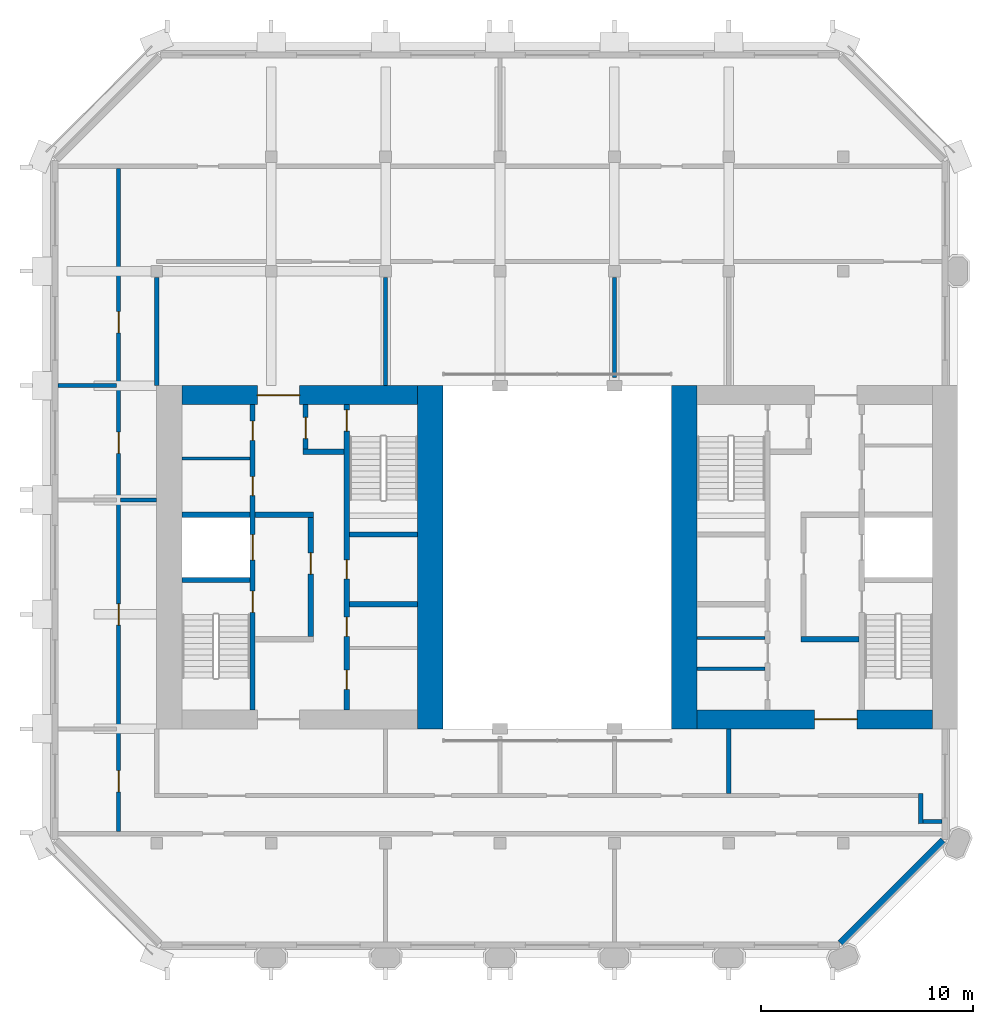
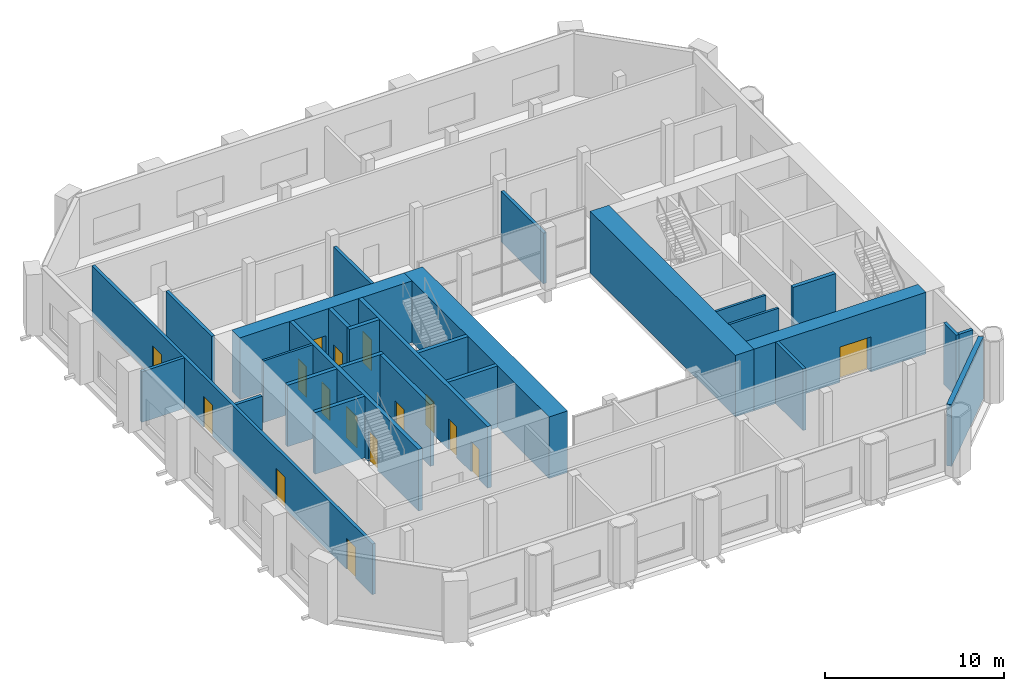
# One storey, part 7 of 11: 28 walls, 16 doors, 16 openings.
"""IFC4 building model written with IfcOpenShell, lengths in metres."""

from ifc_helpers import new_model, si_unit, direction, frame, frame_2d, origin, place, context, subcontext, project, spatial, polyline, rectangle, outline, extrude, material, layer, layer_set, type_object, element, fill, save


model = new_model("IFC4")

# Units and contexts
model_context = context("Model", 3, precision=1e-05, world=origin(), true_north=direction((0.0, 1.0)))
body_context = subcontext(model_context, "Body", "Model", "MODEL_VIEW")
ifc_project = project(units=[si_unit("LENGTHUNIT", "METRE"), si_unit("AREAUNIT", "SQUARE_METRE"), si_unit("VOLUMEUNIT", "CUBIC_METRE"), si_unit("PLANEANGLEUNIT", "RADIAN"), si_unit("MASSUNIT", "GRAM", prefix="KILO")], contexts=[model_context])

# Site, building, storey
site_placement = place(None, origin())
site = spatial("IfcSite", under=ifc_project, at=site_placement, CompositionType="ELEMENT")
building_placement = place(site_placement, origin())
building = spatial("IfcBuilding", under=site, at=building_placement, Name="Tabaq Tower and Sports Hall", CompositionType="ELEMENT")
storey_placement = place(building_placement, frame((0.0, 0.0, 312.699951171875)))
storey = spatial("IfcBuildingStorey", under=building, at=storey_placement, Name="L78", CompositionType="ELEMENT", Elevation=312.699951171875)

# Walls
ifc_material_1 = material(Name="Blockwork", Category="masonry")
ifc_layer_1 = layer(ifc_material_1, 0.14990234375)
ifc_layer_set_1 = layer_set([ifc_layer_1], Name="Core room partition 150 Blockwork")
wall_type_1 = type_object("IfcWallType", Name="Core room partition 150 Blockwork", PredefinedType="PARTITIONING", material=ifc_layer_set_1)
wall_1_placement = place(storey_placement, frame((6.60009765625, 28.962890625, 0.0), z_axis=(0.0, 0.0, 1.0), x_axis=(1.0, 0.0, 0.0)))
element("IfcWall", 1, at=wall_1_placement, inside=storey, type_object=wall_type_1, Name="Core room partition W L78", PredefinedType="PARTITIONING", context=body_context, shape_type="SweptSolid", body=[
    extrude(rectangle(XDim=3.199951171875, YDim=0.14990234375, at=frame_2d((1.60009765625, 0.0))), origin(), (0.0, 0.0, 1.0), 4.199951171875),
])
for number, where, z_axis, x_axis, name in (
    (2, (30.89990234375, 19.0400390625, 0.0), (0.0, 0.0, 1.0), (1.0, 0.0, 0.0), "Core room partition E L78"),
    (3, (30.89990234375, 20.4951171875, 0.0), (0.0, 0.0, 1.0), (1.0, 0.0, 0.0), "Core room partition E L78"),
):
    element("IfcWall", number, at=place(storey_placement, frame(where, z_axis=z_axis, x_axis=x_axis)), inside=storey, type_object=wall_type_1, Name=name, PredefinedType="PARTITIONING", context=body_context, shape_type="SweptSolid", body=[
        extrude(rectangle(XDim=3.2001953125, YDim=0.14990234375, at=frame_2d((1.60009765625, 0.0))), origin(), (0.0, 0.0, 1.0), 4.199951171875),
    ])
ifc_material_2 = material(Name="Concrete C40/50", Category="concrete")
ifc_layer_2 = layer(ifc_material_2, 1.199951171875)
ifc_layer_set_2 = layer_set([ifc_layer_2], Name="Core wall 1200 Concrete C40/50")
wall_type_2 = type_object("IfcWallType", Name="Core wall 1200 Concrete C40/50", PredefinedType="SOLIDWALL", material=ifc_layer_set_2)
for number, where, z_axis, x_axis, name in (
    (4, (18.300048828125, 32.39990234375, 0.0), (0.0, 0.0, 1.0), (0.0, -1.0, 0.0), "Core wall W L78"),
    (5, (30.300048828125, 16.199951171875, 0.0), (0.0, 0.0, 1.0), (0.0, 1.0, 0.0), "Core wall E L78"),
):
    element("IfcWall", number, at=place(storey_placement, frame(where, z_axis=z_axis, x_axis=x_axis)), inside=storey, type_object=wall_type_2, Name=name, PredefinedType="SOLIDWALL", context=body_context, shape_type="SweptSolid", body=[
        extrude(rectangle(XDim=16.199951171875, YDim=1.199951171875, at=frame_2d((8.10009765625, 0.0))), origin(), (0.0, 0.0, 1.0), 4.199951171875),
    ])

# Wall, opening, door
ifc_material_3 = material(Name="Concrete C40/50", Category="concrete")
ifc_layer_3 = layer(ifc_material_3, 0.89990234375)
ifc_layer_set_3 = layer_set([ifc_layer_3], Name="Core wall 900 Concrete C40/50")
wall_type_3 = type_object("IfcWallType", Name="Core wall 900 Concrete C40/50", PredefinedType="SOLIDWALL", material=ifc_layer_set_3)
wall_2_placement = place(storey_placement, frame((6.60009765625, 31.949951171875, 0.0), z_axis=(0.0, 0.0, 1.0), x_axis=(1.0, 0.0, 0.0)))
wall_2 = element("IfcWall", 6, at=wall_2_placement, inside=storey, type_object=wall_type_3, Name="Core wall W L78", PredefinedType="SOLIDWALL", context=body_context, shape_type="SweptSolid", body=[
    extrude(rectangle(XDim=11.099853515625, YDim=0.89990234375, at=frame_2d((5.5498046875, 0.0))), origin(), (0.0, 0.0, 1.0), 4.199951171875),
])
opening_1_placement = place(wall_2_placement, frame((3.550048828125, 0.0, 0.0)))
opening_1 = element("IfcOpeningElement", 7, at=opening_1_placement, cuts=wall_2, Name="Opening PD-WL78-02", PredefinedType="OPENING", context=body_context, shape_type="SweptSolid", body=[
    extrude(rectangle(XDim=2.0, YDim=2.39990234375, at=frame_2d((1.0, 1.199951171875))), frame((0.0, 0.449951171875, 0.0), z_axis=(0.0, -1.0, 0.0), x_axis=(1.0, 0.0, 0.0)), (0.0, 0.0, 1.0), 0.89990234375),
])
ifc_material_4 = material(Name="Steel fire door", Category="steel")
door_type_1 = type_object("IfcDoorType", Name="Core entrance door 2000", OperationType="DOUBLE_DOOR_SINGLE_SWING", PredefinedType="DOOR", material=ifc_material_4)
door_1_placement = place(opening_1_placement, origin())
door_1 = element("IfcDoor", 8, at=door_1_placement, inside=storey, type_object=door_type_1, Name="Core entrance north W L78", OperationType="DOUBLE_DOOR_SINGLE_SWING", OverallHeight=2.39990234375, OverallWidth=2.0, PredefinedType="DOOR", context=body_context, shape_type="SweptSolid", body=[
    extrude(rectangle(XDim=2.0, YDim=2.39990234375, at=frame_2d((1.0, 1.199951171875))), frame((0.0, 0.02490234375, 0.0), z_axis=(0.0, -1.0, 0.0), x_axis=(1.0, 0.0, 0.0)), (0.0, 0.0, 1.0), 0.050048828125),
])
fill(opening_1, door_1)

wall_3_placement = place(storey_placement, frame((42.0, 16.64990234375, 0.0), z_axis=(0.0, 0.0, 1.0), x_axis=(-1.0, 0.0, 0.0)))
wall_3 = element("IfcWall", 9, at=wall_3_placement, inside=storey, type_object=wall_type_3, Name="Core wall E L78", PredefinedType="SOLIDWALL", context=body_context, shape_type="SweptSolid", body=[
    extrude(rectangle(XDim=11.10009765625, YDim=0.89990234375, at=frame_2d((5.550048828125, 0.0))), origin(), (0.0, 0.0, 1.0), 4.199951171875),
])
opening_2_placement = place(wall_3_placement, frame((3.550048828125, 0.0, 0.0)))
opening_2 = element("IfcOpeningElement", 10, at=opening_2_placement, cuts=wall_3, Name="Opening PD-EL78-01", PredefinedType="OPENING", context=body_context, shape_type="SweptSolid", body=[
    extrude(rectangle(XDim=2.0, YDim=2.39990234375, at=frame_2d((1.0, 1.199951171875))), frame((0.0, 0.449951171875, 0.0), z_axis=(0.0, -1.0, 0.0), x_axis=(1.0, 0.0, 0.0)), (0.0, 0.0, 1.0), 0.89990234375),
])
door_2_placement = place(opening_2_placement, origin())
door_2 = element("IfcDoor", 11, at=door_2_placement, inside=storey, type_object=door_type_1, Name="Core entrance south E L78", OperationType="DOUBLE_DOOR_SINGLE_SWING", OverallHeight=2.39990234375, OverallWidth=2.0, PredefinedType="DOOR", context=body_context, shape_type="SweptSolid", body=[
    extrude(rectangle(XDim=2.0, YDim=2.39990234375, at=frame_2d((1.0, 1.199951171875))), frame((0.0, 0.02490234375, 0.0), z_axis=(0.0, -1.0, 0.0), x_axis=(1.0, 0.0, 0.0)), (0.0, 0.0, 1.0), 0.050048828125),
])
fill(opening_2, door_2)

# Walls
ifc_material_5 = material(Name="Blockwork", Category="masonry")
ifc_layer_4 = layer(ifc_material_5, 0.199951171875)
ifc_layer_set_4 = layer_set([ifc_layer_4], Name="Fire compartment wall 200 Blockwork")
wall_type_4 = type_object("IfcWallType", Name="Fire compartment wall 200 Blockwork", PredefinedType="PARTITIONING", material=ifc_layer_set_4)
wall_4_placement = place(storey_placement, frame((0.7509765625, 32.39990234375, 0.0), z_axis=(0.0, 0.0, 1.0), x_axis=(1.0, 0.0, 0.0)))
element("IfcWall", 12, at=wall_4_placement, inside=storey, type_object=wall_type_4, Name="Compartment wall L78", PredefinedType="PARTITIONING", context=body_context, shape_type="SweptSolid", body=[
    extrude(rectangle(XDim=2.7490234375, YDim=0.199951171875, at=frame_2d((1.37451171875, 0.0))), origin(), (0.0, 0.0, 1.0), 3.449951171875),
])
wall_5_placement = place(storey_placement, frame((27.0, 37.5048828125, 0.0), z_axis=(0.0, 0.0, 1.0), x_axis=(0.0, -1.0, 0.0)))
element("IfcWall", 13, at=wall_5_placement, inside=storey, type_object=wall_type_4, Name="Compartment wall L78", PredefinedType="PARTITIONING", context=body_context, shape_type="SweptSolid", body=[
    extrude(rectangle(XDim=4.73486328125, YDim=0.199951171875, at=frame_2d((2.367431640625, 0.0))), origin(), (0.0, 0.0, 1.0), 3.449951171875),
])
wall_6_placement = place(storey_placement, frame((16.199951171875, 37.5048828125, 0.0), z_axis=(0.0, 0.0, 1.0), x_axis=(0.0, -1.0, 0.0)))
element("IfcWall", 14, at=wall_6_placement, inside=storey, type_object=wall_type_4, Name="Compartment wall L78", PredefinedType="PARTITIONING", context=body_context, shape_type="SweptSolid", body=[
    extrude(rectangle(XDim=5.10498046875, YDim=0.199951171875, at=frame_2d((2.552490234375, 0.0))), origin(), (0.0, 0.0, 1.0), 3.449951171875),
])
wall_7_placement = place(storey_placement, frame((5.39990234375, 37.5048828125, 0.0), z_axis=(0.0, 0.0, 1.0), x_axis=(0.0, -1.0, 0.0)))
element("IfcWall", 15, at=wall_7_placement, inside=storey, type_object=wall_type_4, Name="Compartment wall L78", PredefinedType="PARTITIONING", context=body_context, shape_type="SweptSolid", body=[
    extrude(rectangle(XDim=5.10498046875, YDim=0.199951171875, at=frame_2d((2.552490234375, 0.0))), origin(), (0.0, 0.0, 1.0), 4.199951171875),
])
wall_8_placement = place(storey_placement, frame((3.699951171875, 27.0, 0.0), z_axis=(0.0, 0.0, 1.0), x_axis=(1.0, 0.0, 0.0)))
element("IfcWall", 16, at=wall_8_placement, inside=storey, type_object=wall_type_4, Name="Compartment wall L78", PredefinedType="PARTITIONING", context=body_context, shape_type="SweptSolid", body=[
    extrude(rectangle(XDim=1.699951171875, YDim=0.199951171875, at=frame_2d((0.85009765625, 0.0))), origin(), (0.0, 0.0, 1.0), 3.449951171875),
])
wall_9_placement = place(storey_placement, frame((32.39990234375, 13.14990234375, 0.0), z_axis=(0.0, 0.0, 1.0), x_axis=(0.0, 1.0, 0.0)))
element("IfcWall", 17, at=wall_9_placement, inside=storey, type_object=wall_type_4, Name="Compartment wall L78", PredefinedType="PARTITIONING", context=body_context, shape_type="SweptSolid", body=[
    extrude(rectangle(XDim=3.050048828125, YDim=0.199951171875, at=frame_2d((1.52490234375, 0.0))), origin(), (0.0, 0.0, 1.0), 4.199951171875),
])

# Wall, openings, doors
wall_10_placement = place(storey_placement, frame((3.60009765625, 11.35009765625, 0.0), z_axis=(0.0, 0.0, 1.0), x_axis=(0.0, 1.0, 0.0)))
wall_10 = element("IfcWall", 18, at=wall_10_placement, inside=storey, type_object=wall_type_4, Name="Compartment wall L78", PredefinedType="PARTITIONING", context=body_context, shape_type="SweptSolid", body=[
    extrude(rectangle(XDim=31.2998046875, YDim=0.199951171875, at=frame_2d((15.64990234375, 0.0))), origin(), (0.0, 0.0, 1.0), 3.449951171875),
])
opening_3_placement = place(wall_10_placement, frame((23.537109375, 0.0, 0.0)))
opening_3 = element("IfcOpeningElement", 19, at=opening_3_placement, cuts=wall_10, Name="Opening L78-001", PredefinedType="OPENING", context=body_context, shape_type="SweptSolid", body=[
    extrude(rectangle(XDim=1.0, YDim=2.10009765625, at=frame_2d((0.5, 1.050048828125))), frame((0.0, 0.10009765625, 0.0), z_axis=(0.0, -1.0, 0.0), x_axis=(1.0, 0.0, 0.0)), (0.0, 0.0, 1.0), 0.199951171875),
])
opening_4_placement = place(wall_10_placement, frame((17.85009765625, 0.0, 0.0)))
opening_4 = element("IfcOpeningElement", 20, at=opening_4_placement, cuts=wall_10, Name="Opening L78-006", PredefinedType="OPENING", context=body_context, shape_type="SweptSolid", body=[
    extrude(rectangle(XDim=1.0, YDim=2.10009765625, at=frame_2d((0.5, 1.050048828125))), frame((0.0, 0.10009765625, 0.0), z_axis=(0.0, -1.0, 0.0), x_axis=(1.0, 0.0, 0.0)), (0.0, 0.0, 1.0), 0.199951171875),
])
opening_5_placement = place(wall_10_placement, frame((1.875, 0.0, 0.0)))
opening_5 = element("IfcOpeningElement", 21, at=opening_5_placement, cuts=wall_10, Name="Opening L78-007", PredefinedType="OPENING", context=body_context, shape_type="SweptSolid", body=[
    extrude(rectangle(XDim=1.0, YDim=2.10009765625, at=frame_2d((0.5, 1.050048828125))), frame((0.0, 0.10009765625, 0.0), z_axis=(0.0, -1.0, 0.0), x_axis=(1.0, 0.0, 0.0)), (0.0, 0.0, 1.0), 0.199951171875),
])
opening_6_placement = place(wall_10_placement, frame((9.75, 0.0, 0.0)))
opening_6 = element("IfcOpeningElement", 22, at=opening_6_placement, cuts=wall_10, Name="Opening L78-014", PredefinedType="OPENING", context=body_context, shape_type="SweptSolid", body=[
    extrude(rectangle(XDim=1.0, YDim=2.10009765625, at=frame_2d((0.5, 1.050048828125))), frame((0.0, 0.10009765625, 0.0), z_axis=(0.0, -1.0, 0.0), x_axis=(1.0, 0.0, 0.0)), (0.0, 0.0, 1.0), 0.199951171875),
])
ifc_material_6 = material(Name="Steel fire door", Category="steel")
door_type_2 = type_object("IfcDoorType", Name="Plant room door 1000 left hand", OperationType="SINGLE_SWING_LEFT", PredefinedType="DOOR", material=ifc_material_6)
door_3_placement = place(opening_3_placement, origin())
door_3 = element("IfcDoor", 23, at=door_3_placement, inside=storey, type_object=door_type_2, Name="Plant room door L78-001", OperationType="SINGLE_SWING_LEFT", OverallHeight=2.10009765625, OverallWidth=1.0, PredefinedType="DOOR", context=body_context, shape_type="SweptSolid", body=[
    extrude(rectangle(XDim=1.0, YDim=2.10009765625, at=frame_2d((0.5, 1.050048828125))), frame((0.0, 0.02490234375, 0.0), z_axis=(0.0, -1.0, 0.0), x_axis=(1.0, 0.0, 0.0)), (0.0, 0.0, 1.0), 0.050048828125),
])
fill(opening_3, door_3)
door_4_placement = place(opening_5_placement, origin())
door_4 = element("IfcDoor", 24, at=door_4_placement, inside=storey, type_object=door_type_2, Name="Plant room door L78-007", OperationType="SINGLE_SWING_LEFT", OverallHeight=2.10009765625, OverallWidth=1.0, PredefinedType="DOOR", context=body_context, shape_type="SweptSolid", body=[
    extrude(rectangle(XDim=1.0, YDim=2.10009765625, at=frame_2d((0.5, 1.050048828125))), frame((0.0, 0.02490234375, 0.0), z_axis=(0.0, -1.0, 0.0), x_axis=(1.0, 0.0, 0.0)), (0.0, 0.0, 1.0), 0.050048828125),
])
fill(opening_5, door_4)
ifc_material_7 = material(Name="Steel fire door", Category="steel")
door_type_3 = type_object("IfcDoorType", Name="Plant room door 1000 right hand", OperationType="SINGLE_SWING_RIGHT", PredefinedType="DOOR", material=ifc_material_7)
door_5_placement = place(opening_4_placement, origin())
door_5 = element("IfcDoor", 25, at=door_5_placement, inside=storey, type_object=door_type_3, Name="Plant room door L78-006", OperationType="SINGLE_SWING_RIGHT", OverallHeight=2.10009765625, OverallWidth=1.0, PredefinedType="DOOR", context=body_context, shape_type="SweptSolid", body=[
    extrude(rectangle(XDim=1.0, YDim=2.10009765625, at=frame_2d((0.5, 1.050048828125))), frame((0.0, 0.02490234375, 0.0), z_axis=(0.0, -1.0, 0.0), x_axis=(1.0, 0.0, 0.0)), (0.0, 0.0, 1.0), 0.050048828125),
])
fill(opening_4, door_5)
door_6_placement = place(opening_6_placement, origin())
door_6 = element("IfcDoor", 26, at=door_6_placement, inside=storey, type_object=door_type_3, Name="Plant room door L78-014", OperationType="SINGLE_SWING_RIGHT", OverallHeight=2.10009765625, OverallWidth=1.0, PredefinedType="DOOR", context=body_context, shape_type="SweptSolid", body=[
    extrude(rectangle(XDim=1.0, YDim=2.10009765625, at=frame_2d((0.5, 1.050048828125))), frame((0.0, 0.02490234375, 0.0), z_axis=(0.0, -1.0, 0.0), x_axis=(1.0, 0.0, 0.0)), (0.0, 0.0, 1.0), 0.050048828125),
])
fill(opening_6, door_6)

# Walls
wall_11_placement = place(storey_placement, frame((41.448974609375, 13.14990234375, 0.0), z_axis=(0.0, 0.0, 1.0), x_axis=(0.00085543168, -0.999999634118, 0.0)))
element("IfcWall", 27, at=wall_11_placement, inside=storey, type_object=wall_type_4, Name="Compartment wall L78", PredefinedType="PARTITIONING", context=body_context, shape_type="SweptSolid", body=[
    extrude(rectangle(XDim=1.427001953125, YDim=0.199951171875, at=frame_2d((0.71337890625, 0.0))), origin(), (0.0, 0.0, 1.0), 4.199951171875),
])
wall_12_placement = place(storey_placement, frame((41.550048828125, 11.822998046875, 0.0), z_axis=(0.0, 0.0, 1.0), x_axis=(1.0, 0.0, 0.0)))
element("IfcWall", 28, at=wall_12_placement, inside=storey, type_object=wall_type_4, Name="Compartment wall L78", PredefinedType="PARTITIONING", context=body_context, shape_type="SweptSolid", body=[
    extrude(rectangle(XDim=0.89990234375, YDim=0.199951171875, at=frame_2d((0.449951171875, 0.0))), origin(), (0.0, 0.0, 1.0), 4.199951171875),
])

# Wall, openings, doors
ifc_material_8 = material(Name="Concrete C40/50", Category="concrete")
ifc_layer_5 = layer(ifc_material_8, 0.25)
ifc_layer_set_5 = layer_set([ifc_layer_5], Name="Shaft and stair wall 250 Concrete C40/50")
wall_type_5 = type_object("IfcWallType", Name="Shaft and stair wall 250 Concrete C40/50", PredefinedType="SOLIDWALL", material=ifc_layer_set_5)
wall_13_placement = place(storey_placement, frame((9.925048828125, 17.10009765625, 0.0), z_axis=(0.0, 0.0, 1.0), x_axis=(0.0, 1.0, 0.0)))
wall_13 = element("IfcWall", 29, at=wall_13_placement, inside=storey, type_object=wall_type_5, Name="Shaft wall W L78", PredefinedType="SOLIDWALL", context=body_context, shape_type="SweptSolid", body=[
    extrude(rectangle(XDim=14.39990234375, YDim=0.25, at=frame_2d((7.199951171875, 0.0))), origin(), (0.0, 0.0, 1.0), 4.199951171875),
])
opening_7_placement = place(wall_13_placement, frame((4.60009765625, 0.0, 0.0)))
opening_7 = element("IfcOpeningElement", 30, at=opening_7_placement, cuts=wall_13, Name="Opening SD-WL78-03", PredefinedType="OPENING", context=body_context, shape_type="SweptSolid", body=[
    extrude(rectangle(XDim=1.0, YDim=2.10009765625, at=frame_2d((0.5, 1.050048828125))), frame((0.0, 0.125, 0.0), z_axis=(0.0, -1.0, 0.0), x_axis=(1.0, 0.0, 0.0)), (0.0, 0.0, 1.0), 0.25),
])
opening_8_placement = place(wall_13_placement, frame((7.0625, 0.0, 0.0)))
opening_8 = element("IfcOpeningElement", 31, at=opening_8_placement, cuts=wall_13, Name="Opening LD-FF1-L78", PredefinedType="OPENING", context=body_context, shape_type="SweptSolid", body=[
    extrude(rectangle(XDim=1.199951171875, YDim=2.10009765625, at=frame_2d((0.60009765625, 1.050048828125))), frame((0.0, 0.125, 0.0), z_axis=(0.0, -1.0, 0.0), x_axis=(1.0, 0.0, 0.0)), (0.0, 0.0, 1.0), 0.25),
])
opening_9_placement = place(wall_13_placement, frame((10.1064453125, 0.0, 0.0)))
opening_9 = element("IfcOpeningElement", 32, at=opening_9_placement, cuts=wall_13, Name="Opening RD-WL78-08", PredefinedType="OPENING", context=body_context, shape_type="SweptSolid", body=[
    extrude(rectangle(XDim=0.89990234375, YDim=2.10009765625, at=frame_2d((0.449951171875, 1.050048828125))), frame((0.0, 0.125, 0.0), z_axis=(0.0, -1.0, 0.0), x_axis=(1.0, 0.0, 0.0)), (0.0, 0.0, 1.0), 0.25),
])
opening_10_placement = place(wall_13_placement, frame((12.718994140625, 0.0, 0.0)))
opening_10 = element("IfcOpeningElement", 33, at=opening_10_placement, cuts=wall_13, Name="Opening RD-WL78-09", PredefinedType="OPENING", context=body_context, shape_type="SweptSolid", body=[
    extrude(rectangle(XDim=0.89990234375, YDim=2.10009765625, at=frame_2d((0.449951171875, 1.050048828125))), frame((0.0, 0.125, 0.0), z_axis=(0.0, -1.0, 0.0), x_axis=(1.0, 0.0, 0.0)), (0.0, 0.0, 1.0), 0.25),
])
ifc_material_9 = material(Name="Steel fire door", Category="steel")
door_type_4 = type_object("IfcDoorType", Name="Core room door 900", OperationType="SINGLE_SWING_LEFT", PredefinedType="DOOR", material=ifc_material_9)
door_7_placement = place(opening_9_placement, origin())
door_7 = element("IfcDoor", 34, at=door_7_placement, inside=storey, type_object=door_type_4, Name="Door Store Room W L78", OperationType="SINGLE_SWING_LEFT", OverallHeight=2.10009765625, OverallWidth=0.89990234375, PredefinedType="DOOR", context=body_context, shape_type="SweptSolid", body=[
    extrude(rectangle(XDim=0.89990234375, YDim=2.10009765625, at=frame_2d((0.449951171875, 1.050048828125))), frame((0.0, 0.02490234375, 0.0), z_axis=(0.0, -1.0, 0.0), x_axis=(1.0, 0.0, 0.0)), (0.0, 0.0, 1.0), 0.050048828125),
])
fill(opening_9, door_7)
door_8_placement = place(opening_10_placement, origin())
door_8 = element("IfcDoor", 35, at=door_8_placement, inside=storey, type_object=door_type_4, Name="Door Riser Room W L78", OperationType="SINGLE_SWING_LEFT", OverallHeight=2.10009765625, OverallWidth=0.89990234375, PredefinedType="DOOR", context=body_context, shape_type="SweptSolid", body=[
    extrude(rectangle(XDim=0.89990234375, YDim=2.10009765625, at=frame_2d((0.449951171875, 1.050048828125))), frame((0.0, 0.02490234375, 0.0), z_axis=(0.0, -1.0, 0.0), x_axis=(1.0, 0.0, 0.0)), (0.0, 0.0, 1.0), 0.050048828125),
])
fill(opening_10, door_8)
ifc_material_10 = material(Name="Stainless steel", Category="steel")
door_type_5 = type_object("IfcDoorType", Name="Lift landing door 1200", OperationType="DOUBLE_DOOR_SLIDING", PredefinedType="DOOR", material=ifc_material_10)
door_9_placement = place(opening_8_placement, origin())
door_9 = element("IfcDoor", 36, at=door_9_placement, inside=storey, type_object=door_type_5, Name="Lift landing door FF1 W L78", OperationType="DOUBLE_DOOR_SLIDING", OverallHeight=2.10009765625, OverallWidth=1.199951171875, PredefinedType="DOOR", context=body_context, shape_type="SweptSolid", body=[
    extrude(rectangle(XDim=1.199951171875, YDim=2.10009765625, at=frame_2d((0.60009765625, 1.050048828125))), frame((0.0, 0.02490234375, 0.0), z_axis=(0.0, -1.0, 0.0), x_axis=(1.0, 0.0, 0.0)), (0.0, 0.0, 1.0), 0.050048828125),
])
fill(opening_8, door_9)
ifc_material_11 = material(Name="Steel fire door", Category="steel")
door_type_6 = type_object("IfcDoorType", Name="Stair door 1000", OperationType="SINGLE_SWING_LEFT", PredefinedType="DOOR", material=ifc_material_11)
door_10_placement = place(opening_7_placement, origin())
door_10 = element("IfcDoor", 37, at=door_10_placement, inside=storey, type_object=door_type_6, Name="Stair door ST1 W L78", OperationType="SINGLE_SWING_LEFT", OverallHeight=2.10009765625, OverallWidth=1.0, PredefinedType="DOOR", context=body_context, shape_type="SweptSolid", body=[
    extrude(rectangle(XDim=1.0, YDim=2.10009765625, at=frame_2d((0.5, 1.050048828125))), frame((0.0, 0.02490234375, 0.0), z_axis=(0.0, -1.0, 0.0), x_axis=(1.0, 0.0, 0.0)), (0.0, 0.0, 1.0), 0.050048828125),
])
fill(opening_7, door_10)

wall_14_placement = place(storey_placement, frame((14.375, 17.10009765625, 0.0), z_axis=(0.0, 0.0, 1.0), x_axis=(0.0, 1.0, 0.0)))
wall_14 = element("IfcWall", 38, at=wall_14_placement, inside=storey, type_object=wall_type_5, Name="Shaft wall W L78", PredefinedType="SOLIDWALL", context=body_context, shape_type="SweptSolid", body=[
    extrude(rectangle(XDim=14.39990234375, YDim=0.25, at=frame_2d((7.199951171875, 0.0))), origin(), (0.0, 0.0, 1.0), 4.199951171875),
])
opening_11_placement = place(wall_14_placement, frame((13.14990234375, 0.0, 0.0)))
opening_11 = element("IfcOpeningElement", 39, at=opening_11_placement, cuts=wall_14, Name="Opening SD-WL78-05", PredefinedType="OPENING", context=body_context, shape_type="SweptSolid", body=[
    extrude(rectangle(XDim=1.0, YDim=2.10009765625, at=frame_2d((0.5, 1.050048828125))), frame((0.0, 0.125, 0.0), z_axis=(0.0, -1.0, 0.0), x_axis=(1.0, 0.0, 0.0)), (0.0, 0.0, 1.0), 0.25),
])
opening_12_placement = place(wall_14_placement, frame((0.967529296875, 0.0, 0.0)))
opening_12 = element("IfcOpeningElement", 40, at=opening_12_placement, cuts=wall_14, Name="Opening RD-WL78-10", PredefinedType="OPENING", context=body_context, shape_type="SweptSolid", body=[
    extrude(rectangle(XDim=0.89990234375, YDim=2.10009765625, at=frame_2d((0.449951171875, 1.050048828125))), frame((0.0, 0.125, 0.0), z_axis=(0.0, -1.0, 0.0), x_axis=(1.0, 0.0, 0.0)), (0.0, 0.0, 1.0), 0.25),
])
opening_13_placement = place(wall_14_placement, frame((3.467529296875, 0.0, 0.0)))
opening_13 = element("IfcOpeningElement", 41, at=opening_13_placement, cuts=wall_14, Name="Opening RD-WL78-11", PredefinedType="OPENING", context=body_context, shape_type="SweptSolid", body=[
    extrude(rectangle(XDim=0.89990234375, YDim=2.10009765625, at=frame_2d((0.449951171875, 1.050048828125))), frame((0.0, 0.125, 0.0), z_axis=(0.0, -1.0, 0.0), x_axis=(1.0, 0.0, 0.0)), (0.0, 0.0, 1.0), 0.25),
])
opening_14_placement = place(wall_14_placement, frame((6.175048828125, 0.0, 0.0)))
opening_14 = element("IfcOpeningElement", 42, at=opening_14_placement, cuts=wall_14, Name="Opening RD-WL78-12", PredefinedType="OPENING", context=body_context, shape_type="SweptSolid", body=[
    extrude(rectangle(XDim=0.89990234375, YDim=2.10009765625, at=frame_2d((0.449951171875, 1.050048828125))), frame((0.0, 0.125, 0.0), z_axis=(0.0, -1.0, 0.0), x_axis=(1.0, 0.0, 0.0)), (0.0, 0.0, 1.0), 0.25),
])
door_11_placement = place(opening_12_placement, origin())
door_11 = element("IfcDoor", 43, at=door_11_placement, inside=storey, type_object=door_type_4, Name="Door Plant Room W L78", OperationType="SINGLE_SWING_LEFT", OverallHeight=2.10009765625, OverallWidth=0.89990234375, PredefinedType="DOOR", context=body_context, shape_type="SweptSolid", body=[
    extrude(rectangle(XDim=0.89990234375, YDim=2.10009765625, at=frame_2d((0.449951171875, 1.050048828125))), frame((0.0, 0.02490234375, 0.0), z_axis=(0.0, -1.0, 0.0), x_axis=(1.0, 0.0, 0.0)), (0.0, 0.0, 1.0), 0.050048828125),
])
fill(opening_12, door_11)
door_12_placement = place(opening_13_placement, origin())
door_12 = element("IfcDoor", 44, at=door_12_placement, inside=storey, type_object=door_type_4, Name="Door Plant Control Room W L78", OperationType="SINGLE_SWING_LEFT", OverallHeight=2.10009765625, OverallWidth=0.89990234375, PredefinedType="DOOR", context=body_context, shape_type="SweptSolid", body=[
    extrude(rectangle(XDim=0.89990234375, YDim=2.10009765625, at=frame_2d((0.449951171875, 1.050048828125))), frame((0.0, 0.02490234375, 0.0), z_axis=(0.0, -1.0, 0.0), x_axis=(1.0, 0.0, 0.0)), (0.0, 0.0, 1.0), 0.050048828125),
])
fill(opening_13, door_12)
door_13_placement = place(opening_14_placement, origin())
door_13 = element("IfcDoor", 45, at=door_13_placement, inside=storey, type_object=door_type_4, Name="Door Riser Room W L78", OperationType="SINGLE_SWING_LEFT", OverallHeight=2.10009765625, OverallWidth=0.89990234375, PredefinedType="DOOR", context=body_context, shape_type="SweptSolid", body=[
    extrude(rectangle(XDim=0.89990234375, YDim=2.10009765625, at=frame_2d((0.449951171875, 1.050048828125))), frame((0.0, 0.02490234375, 0.0), z_axis=(0.0, -1.0, 0.0), x_axis=(1.0, 0.0, 0.0)), (0.0, 0.0, 1.0), 0.050048828125),
])
fill(opening_14, door_13)
door_14_placement = place(opening_11_placement, origin())
door_14 = element("IfcDoor", 46, at=door_14_placement, inside=storey, type_object=door_type_6, Name="Stair door ST2 W L78", OperationType="SINGLE_SWING_LEFT", OverallHeight=2.10009765625, OverallWidth=1.0, PredefinedType="DOOR", context=body_context, shape_type="SweptSolid", body=[
    extrude(rectangle(XDim=1.0, YDim=2.10009765625, at=frame_2d((0.5, 1.050048828125))), frame((0.0, 0.02490234375, 0.0), z_axis=(0.0, -1.0, 0.0), x_axis=(1.0, 0.0, 0.0)), (0.0, 0.0, 1.0), 0.050048828125),
])
fill(opening_11, door_14)

# Walls
for number, where, z_axis, x_axis, name in (
    (47, (6.60009765625, 23.22509765625, 0.0), (0.0, 0.0, 1.0), (1.0, 0.0, 0.0), "Stair enclosure wall W L78"),
    (48, (14.5, 25.375, 0.0), (0.0, 0.0, 1.0), (1.0, 0.0, 0.0), "Stair enclosure wall W L78"),
    (49, (14.5, 22.074951171875, 0.0), (0.0, 0.0, 1.0), (1.0, 0.0, 0.0), "Shaft wall W L78"),
    (50, (6.60009765625, 26.300048828125, 0.0), (0.0, 0.0, 1.0), (1.0, 0.0, 0.0), "Shaft wall W L78"),
):
    element("IfcWall", number, at=place(storey_placement, frame(where, z_axis=z_axis, x_axis=x_axis)), inside=storey, type_object=wall_type_5, Name=name, PredefinedType="SOLIDWALL", context=body_context, shape_type="SweptSolid", body=[
        extrude(rectangle(XDim=3.199951171875, YDim=0.25, at=frame_2d((1.60009765625, 0.0))), origin(), (0.0, 0.0, 1.0), 4.199951171875),
    ])
wall_15_placement = place(storey_placement, frame((10.050048828125, 26.300048828125, 0.0), z_axis=(0.0, 0.0, 1.0), x_axis=(1.0, 0.0, 0.0)))
element("IfcWall", 51, at=wall_15_placement, inside=storey, type_object=wall_type_5, Name="Fire-fighting lobby wall W L78", PredefinedType="SOLIDWALL", context=body_context, shape_type="SweptSolid", body=[
    extrude(rectangle(XDim=2.75, YDim=0.25, at=frame_2d((1.375, 0.0))), origin(), (0.0, 0.0, 1.0), 4.199951171875),
])

# Wall, opening, door
wall_16_placement = place(storey_placement, frame((12.425048828125, 29.39990234375, 0.0), z_axis=(0.0, 0.0, 1.0), x_axis=(0.0, 1.0, 0.0)))
wall_16 = element("IfcWall", 52, at=wall_16_placement, inside=storey, type_object=wall_type_5, Name="Fire-fighting lobby wall W L78", PredefinedType="SOLIDWALL", context=body_context, shape_type="SweptSolid", body=[
    extrude(rectangle(XDim=2.10009765625, YDim=0.25, at=frame_2d((1.050048828125, 0.0))), origin(), (0.0, 0.0, 1.0), 4.199951171875),
])
opening_15_placement = place(wall_16_placement, frame((0.5, 0.0, 0.0)))
opening_15 = element("IfcOpeningElement", 53, at=opening_15_placement, cuts=wall_16, Name="Opening FD-WL78-06", PredefinedType="OPENING", context=body_context, shape_type="SweptSolid", body=[
    extrude(rectangle(XDim=1.0, YDim=2.10009765625, at=frame_2d((0.5, 1.050048828125))), frame((0.0, 0.125, 0.0), z_axis=(0.0, -1.0, 0.0), x_axis=(1.0, 0.0, 0.0)), (0.0, 0.0, 1.0), 0.25),
])
ifc_material_12 = material(Name="Steel fire door", Category="steel")
door_type_7 = type_object("IfcDoorType", Name="Fire-fighting lobby door 1000", OperationType="SINGLE_SWING_LEFT", PredefinedType="DOOR", material=ifc_material_12)
door_15_placement = place(opening_15_placement, origin())
door_15 = element("IfcDoor", 54, at=door_15_placement, inside=storey, type_object=door_type_7, Name="Stair lobby door W L78", OperationType="SINGLE_SWING_LEFT", OverallHeight=2.10009765625, OverallWidth=1.0, PredefinedType="DOOR", context=body_context, shape_type="SweptSolid", body=[
    extrude(rectangle(XDim=1.0, YDim=2.10009765625, at=frame_2d((0.5, 1.050048828125))), frame((0.0, 0.02490234375, 0.0), z_axis=(0.0, -1.0, 0.0), x_axis=(1.0, 0.0, 0.0)), (0.0, 0.0, 1.0), 0.050048828125),
])
fill(opening_15, door_15)

# Wall
wall_17_placement = place(storey_placement, frame((12.300048828125, 29.27490234375, 0.0), z_axis=(0.0, 0.0, 1.0), x_axis=(1.0, 0.0, 0.0)))
element("IfcWall", 55, at=wall_17_placement, inside=storey, type_object=wall_type_5, Name="Fire-fighting lobby wall W L78", PredefinedType="SOLIDWALL", context=body_context, shape_type="SweptSolid", body=[
    extrude(rectangle(XDim=1.949951171875, YDim=0.25, at=frame_2d((0.97509765625, 0.0))), origin(), (0.0, 0.0, 1.0), 4.199951171875),
])

# Wall, opening, door
wall_18_placement = place(storey_placement, frame((12.675048828125, 20.550048828125, 0.0), z_axis=(0.0, 0.0, 1.0), x_axis=(0.0, 1.0, 0.0)))
wall_18 = element("IfcWall", 56, at=wall_18_placement, inside=storey, type_object=wall_type_5, Name="Fire-fighting lobby wall W L78", PredefinedType="SOLIDWALL", context=body_context, shape_type="SweptSolid", body=[
    extrude(rectangle(XDim=5.625, YDim=0.25, at=frame_2d((2.8125, 0.0))), origin(), (0.0, 0.0, 1.0), 4.199951171875),
])
opening_16_placement = place(wall_18_placement, frame((2.949951171875, 0.0, 0.0)))
opening_16 = element("IfcOpeningElement", 57, at=opening_16_placement, cuts=wall_18, Name="Opening FD-WL78-04", PredefinedType="OPENING", context=body_context, shape_type="SweptSolid", body=[
    extrude(rectangle(XDim=1.0, YDim=2.10009765625, at=frame_2d((0.5, 1.050048828125))), frame((0.0, 0.125, 0.0), z_axis=(0.0, -1.0, 0.0), x_axis=(1.0, 0.0, 0.0)), (0.0, 0.0, 1.0), 0.25),
])
door_16_placement = place(opening_16_placement, origin())
door_16 = element("IfcDoor", 58, at=door_16_placement, inside=storey, type_object=door_type_7, Name="Fire-fighting lobby door W L78", OperationType="SINGLE_SWING_LEFT", OverallHeight=2.10009765625, OverallWidth=1.0, PredefinedType="DOOR", context=body_context, shape_type="SweptSolid", body=[
    extrude(rectangle(XDim=1.0, YDim=2.10009765625, at=frame_2d((0.5, 1.050048828125))), frame((0.0, 0.02490234375, 0.0), z_axis=(0.0, -1.0, 0.0), x_axis=(1.0, 0.0, 0.0)), (0.0, 0.0, 1.0), 0.050048828125),
])
fill(opening_16, door_16)

# Walls
wall_19_placement = place(storey_placement, frame((35.800048828125, 20.425048828125, 0.0), z_axis=(0.0, 0.0, 1.0), x_axis=(1.0, 0.0, 0.0)))
element("IfcWall", 59, at=wall_19_placement, inside=storey, type_object=wall_type_5, Name="Fire-fighting lobby wall E L78", PredefinedType="SOLIDWALL", context=body_context, shape_type="SweptSolid", body=[
    extrude(rectangle(XDim=2.75, YDim=0.25, at=frame_2d((1.375, 0.0))), origin(), (0.0, 0.0, 1.0), 4.199951171875),
])
ifc_material_13 = material(Name="White precast concrete C60/75", Category="concrete")
ifc_layer_6 = layer(ifc_material_13, 0.300048828125)
ifc_layer_set_6 = layer_set([ifc_layer_6], Name="White precast concrete C60/75 external wall 300")
wall_type_6 = type_object("IfcWallType", Name="White precast concrete C60/75 external wall 300", PredefinedType="SOLIDWALL", material=ifc_layer_set_6)
wall_20_placement = place(storey_placement, frame((37.650390625, 6.098876953125, 0.0), z_axis=(0.0, 0.0, 1.0), x_axis=(0.707106781187, 0.707106781187, 0.0)))
element("IfcWall", 60, at=wall_20_placement, inside=storey, type_object=wall_type_6, Name="External Wall L78 SE", PredefinedType="SOLIDWALL", context=body_context, shape_type="SweptSolid", body=[
    extrude(outline(polyline([(0.0, 0.0), (6.85986328125, 0.0), (6.859619140625, 4.199951171875), (6.2880859375, 4.199951171875), (5.71630859375, 4.199951171875), (5.144775390625, 4.199951171875), (4.5732421875, 4.199951171875), (4.00146484375, 4.199951171875), (3.429931640625, 4.199951171875), (2.858154296875, 4.199951171875), (2.28662109375, 4.199951171875), (1.71484375, 4.199951171875), (1.143310546875, 4.199951171875), (0.571533203125, 4.199951171875), (0.0, 4.199951171875), (0.0, 0.0)])), frame((0.0, 0.14990234375, 0.0), z_axis=(0.0, -1.0, 0.0), x_axis=(1.0, 0.0, 0.0)), (0.0, 0.0, 1.0), 0.300048828125),
])

save(model, "model.ifc")
